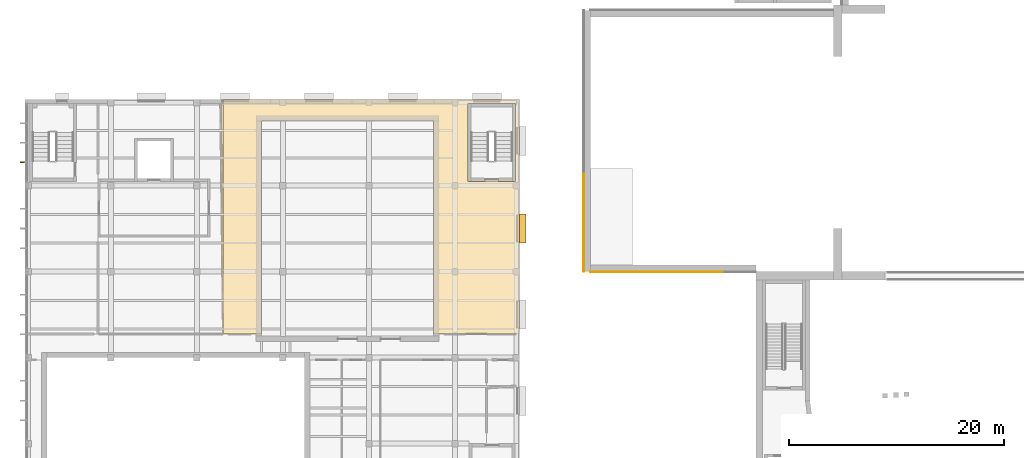
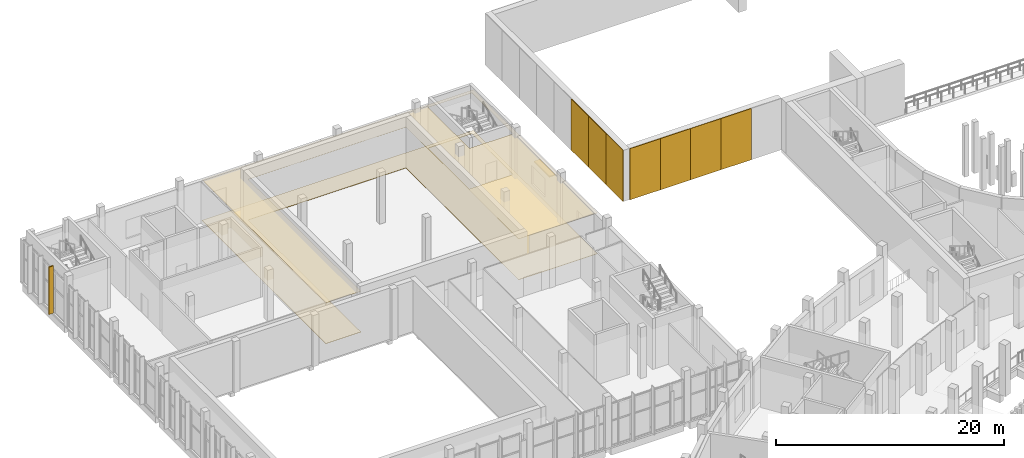
# One storey, part 91 of 112: 9 coverings, 2 shading devices.
"""IFC4 building model written with IfcOpenShell, lengths in metres."""

from ifc_helpers import new_model, si_unit, direction, frame, origin, origin_2d, place, context, subcontext, project, spatial, polyline, rectangle, outline, extrude, material, layer, layer_set, type_object, element, save


model = new_model("IFC4")

# Units and contexts
model_context = context("Model", 3, precision=1e-05, world=origin(), true_north=direction((0.0, 1.0)))
body_context = subcontext(model_context, "Body", "Model", "MODEL_VIEW")
ifc_project = project(units=[si_unit("LENGTHUNIT", "METRE"), si_unit("AREAUNIT", "SQUARE_METRE"), si_unit("VOLUMEUNIT", "CUBIC_METRE"), si_unit("PLANEANGLEUNIT", "RADIAN"), si_unit("MASSUNIT", "GRAM", prefix="KILO")], contexts=[model_context])

# Site, building, storey
site_placement = place(None, origin())
site = spatial("IfcSite", under=ifc_project, at=site_placement, CompositionType="ELEMENT")
building_placement = place(site_placement, origin())
building = spatial("IfcBuilding", under=site, at=building_placement, Name="Lunette Opera House", CompositionType="ELEMENT")
storey_placement = place(building_placement, frame((0.0, 0.0, 6.0)))
storey = spatial("IfcBuildingStorey", under=building, at=storey_placement, Name="L01", CompositionType="ELEMENT", Elevation=6.0)

# Shading device
ifc_material_1 = material(Name="Powder-coated aluminium", Category="aluminium")
shading_device_type_1 = type_object("IfcShadingDeviceType", Name="SOLAR FIN 100 X 450", PredefinedType="USERDEFINED", material=ifc_material_1)
shading_device_1_placement = place(storey_placement, frame((7.76708984375, 106.156005859375, 0.114501953125), z_axis=(0.0, 0.0, 1.0), x_axis=(-1.0, 0.0, 0.0)))
element("IfcShadingDevice", 1, at=shading_device_1_placement, inside=storey, type_object=shading_device_type_1, Name="Solar fin RW-X2015 3", ObjectType="SOLAR FIN", PredefinedType="USERDEFINED", context=body_context, shape_type="SweptSolid", body=[
    extrude(rectangle(XDim=0.449951171875, YDim=0.10009765625, at=origin_2d()), origin(), (0.0, 0.0, 1.0), 5.0849609375),
])

# Coverings
ifc_material_2 = material(Name="Aluminium standing seam cladding", Category="aluminium")
ifc_layer_1 = layer(ifc_material_2, 0.06005859375)
ifc_layer_set_1 = layer_set([ifc_layer_1], Name="Aluminium standing seam cladding")
covering_type_1 = type_object("IfcCoveringType", Name="STANDING SEAM CLADDING 60", PredefinedType="CLADDING", material=ifc_layer_set_1)
for number, where, z_axis, x_axis, name in (
    (2, (59.969970703125, 97.51904296875, 0.0), (0.0, 0.0, 1.0), (0.0, 1.0, 0.0), "Standing seam cladding SW-W-1 L01 00"),
    (3, (59.969970703125, 100.555908203125, 0.0), (0.0, 0.0, 1.0), (0.0, 1.0, 0.0), "Standing seam cladding SW-W-1 L01 01"),
    (4, (59.969970703125, 103.593994140625, 0.0), (0.0, 0.0, 1.0), (0.0, 1.0, 0.0), "Standing seam cladding SW-W-1 L01 02"),
):
    element("IfcCovering", number, at=place(storey_placement, frame(where, z_axis=z_axis, x_axis=x_axis)), inside=storey, type_object=covering_type_1, Name=name, PredefinedType="CLADDING", context=body_context, shape_type="SweptSolid", body=[
        extrude(rectangle(XDim=3.037109375, YDim=0.06005859375, at=origin_2d()), origin(), (0.0, 0.0, 1.0), 5.5),
    ])
for number, where, z_axis, x_axis, name in (
    (5, (62.138916015625, 95.969970703125, 0.0), (0.0, 0.0, 1.0), (1.0, 0.0, 0.0), "Standing seam cladding SW-S-1 L01 00"),
    (6, (65.217041015625, 95.969970703125, 0.0), (0.0, 0.0, 1.0), (1.0, 0.0, 0.0), "Standing seam cladding SW-S-1 L01 01"),
    (7, (68.294921875, 95.969970703125, 0.0), (0.0, 0.0, 1.0), (1.0, 0.0, 0.0), "Standing seam cladding SW-S-1 L01 02"),
    (8, (71.373046875, 95.969970703125, 0.0), (0.0, 0.0, 1.0), (1.0, 0.0, 0.0), "Standing seam cladding SW-S-1 L01 03"),
):
    element("IfcCovering", number, at=place(storey_placement, frame(where, z_axis=z_axis, x_axis=x_axis)), inside=storey, type_object=covering_type_1, Name=name, PredefinedType="CLADDING", context=body_context, shape_type="SweptSolid", body=[
        extrude(rectangle(XDim=3.077880859375, YDim=0.06005859375, at=origin_2d()), origin(), (0.0, 0.0, 1.0), 5.5),
    ])
ifc_material_3 = material(Name="Mineral fibre board")
ifc_layer_2 = layer(ifc_material_3, 0.014892578125)
ifc_layer_set_2 = layer_set([ifc_layer_2], Name="Mineral fibre board")
covering_type_2 = type_object("IfcCoveringType", Name="SUSPENDED ACOUSTIC CEILING 15", PredefinedType="CEILING", material=ifc_layer_set_2)
covering_1_placement = place(storey_placement, frame((0.0, 0.0, 4.385009765625)))
element("IfcCovering", 9, at=covering_1_placement, inside=storey, type_object=covering_type_2, Name="Ceiling Practice Room Block", PredefinedType="CEILING", context=body_context, shape_type="SweptSolid", body=[
    extrude(outline(polyline([(46.0, 90.199951171875), (46.0, 110.0), (30.0, 110.0), (30.0, 90.199951171875), (26.44189453125, 90.199951171875), (26.44189453125, 112.0), (54.0, 112.0), (54.0, 90.199951171875), (46.0, 90.199951171875)]), holes=[polyline([(53.635009765625, 104.39990234375), (53.635009765625, 111.635009765625), (49.199951171875, 111.635009765625), (49.199951171875, 104.39990234375), (53.635009765625, 104.39990234375)])]), origin(), (0.0, 0.0, 1.0), 0.014892578125),
])
ifc_material_4 = material(Name="Timber", Category="wood")
ifc_layer_3 = layer(ifc_material_4, 0.0400390625)
ifc_layer_set_3 = layer_set([ifc_layer_3], Name="Timber")
covering_type_3 = type_object("IfcCoveringType", Name="TIMBER FLOOR FINISH 40", PredefinedType="FLOORING", material=ifc_layer_set_3)
covering_2_placement = place(storey_placement, origin())
element("IfcCovering", 10, at=covering_2_placement, inside=storey, type_object=covering_type_3, Name="Floor finish Practice Room Block", PredefinedType="FLOORING", context=body_context, shape_type="SweptSolid", body=[
    extrude(outline(polyline([(46.0, 90.199951171875), (46.0, 110.0), (30.0, 110.0), (30.0, 90.199951171875), (26.44189453125, 90.199951171875), (26.44189453125, 112.0), (54.0, 112.0), (54.0, 90.199951171875), (46.0, 90.199951171875)]), holes=[polyline([(53.635009765625, 104.39990234375), (53.635009765625, 111.635009765625), (49.199951171875, 111.635009765625), (49.199951171875, 104.39990234375), (53.635009765625, 104.39990234375)])]), origin(), (0.0, 0.0, 1.0), 0.0400390625),
])

# Shading device
ifc_material_5 = material(Name="Powder-coated aluminium", Category="aluminium")
ifc_layer_4 = layer(ifc_material_5, 0.1201171875)
ifc_layer_set_4 = layer_set([ifc_layer_4], Name="Powder-coated aluminium")
shading_device_type_2 = type_object("IfcShadingDeviceType", Name="WINDOW HOOD 600 X 2700", PredefinedType="USERDEFINED", material=ifc_layer_set_4)
shading_device_2_placement = place(storey_placement, frame((54.300048828125, 100.0, 3.079833984375), z_axis=(0.0, 0.0, 1.0), x_axis=(1.0, 0.0, 0.0)))
element("IfcShadingDevice", 11, at=shading_device_2_placement, inside=storey, type_object=shading_device_type_2, Name="Window hood RW-N2017", ObjectType="WINDOW HOOD", PredefinedType="USERDEFINED", context=body_context, shape_type="SweptSolid", body=[
    extrude(rectangle(XDim=0.60009765625, YDim=2.699951171875, at=origin_2d()), origin(), (0.0, 0.0, 1.0), 0.1201171875),
])

save(model, "model.ifc")
